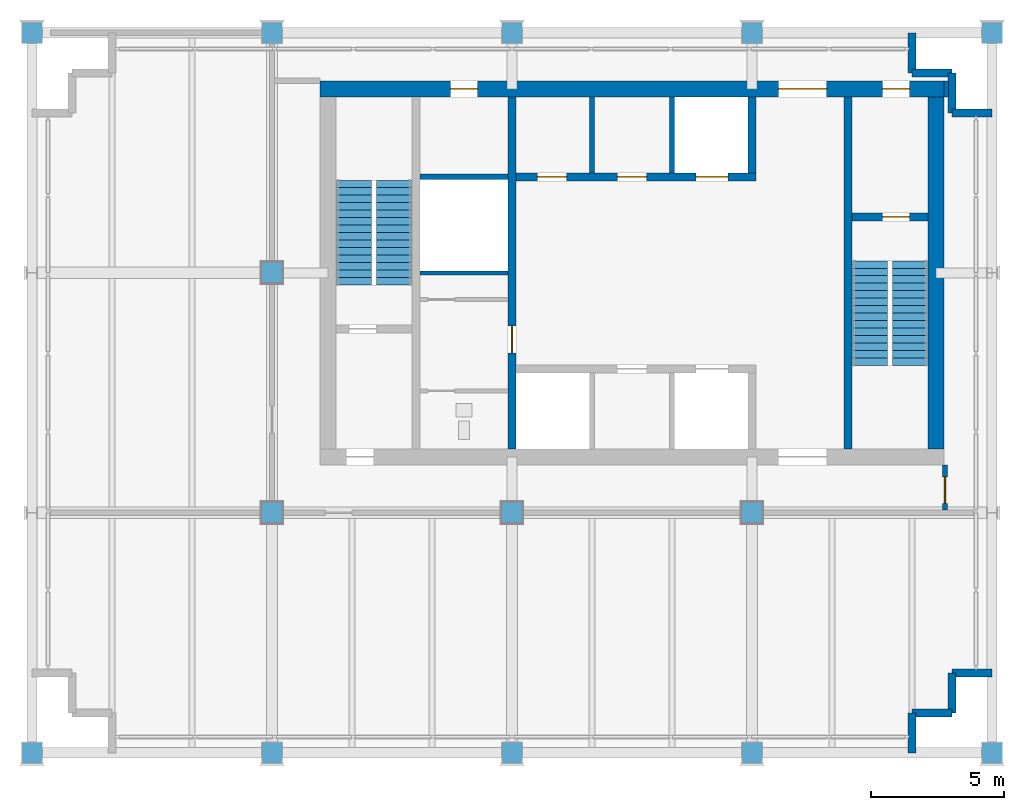
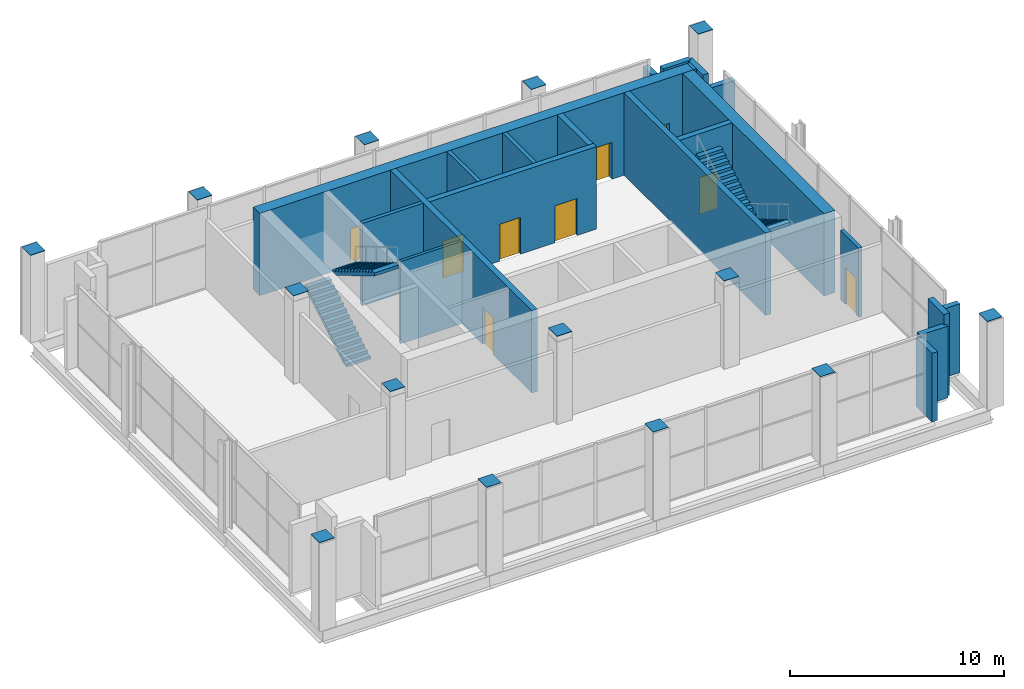
# One storey, part 8 of 10: 21 walls, 14 discrete accessories, 9 doors, 4 stair flights, 9 openings, 2 elements without a shape of their own.
"""IFC4 building model written with IfcOpenShell, lengths in metres."""

from ifc_helpers import new_model, si_unit, direction, frame, frame_2d, origin, origin_2d, place, context, subcontext, project, spatial, polyline, rectangle, outline, extrude, material, layer, layer_set, type_object, element, fill, aggregate, save


model = new_model("IFC4")

# Units and contexts
model_context = context("Model", 3, precision=1e-05, world=origin(), true_north=direction((0.0, 1.0)))
body_context = subcontext(model_context, "Body", "Model", "MODEL_VIEW")
ifc_project = project(units=[si_unit("LENGTHUNIT", "METRE"), si_unit("AREAUNIT", "SQUARE_METRE"), si_unit("VOLUMEUNIT", "CUBIC_METRE"), si_unit("PLANEANGLEUNIT", "RADIAN"), si_unit("MASSUNIT", "GRAM", prefix="KILO")], contexts=[model_context])

# Site, building, storey
site_placement = place(None, origin())
site = spatial("IfcSite", under=ifc_project, at=site_placement, CompositionType="ELEMENT")
building_placement = place(site_placement, origin())
building = spatial("IfcBuilding", under=site, at=building_placement, Name="Loomwork Tower", CompositionType="ELEMENT")
storey_placement = place(building_placement, frame((0.0, 0.0, 274.800048828125)))
storey = spatial("IfcBuildingStorey", under=building, at=storey_placement, Name="L75", CompositionType="ELEMENT", Elevation=274.800048828125)

# Wall, opening, door
ifc_material_1 = material(Name="Concrete 14000 psi (97 MPa)", Category="concrete")
ifc_layer_1 = layer(ifc_material_1, 0.300048828125)
ifc_layer_set_1 = layer_set([ifc_layer_1], Name="Core shear wall 300")
wall_type_1 = type_object("IfcWallType", Name="Core shear wall 300", PredefinedType="SHEAR", material=ifc_layer_set_1)
wall_1_placement = place(storey_placement, frame((18.0, 11.39990234375, 0.0), z_axis=(0.0, 0.0, 1.0), x_axis=(0.0, 1.0, 0.0)))
wall_1 = element("IfcWall", 1, at=wall_1_placement, inside=storey, type_object=wall_type_1, Name="Lobby west wall L75", PredefinedType="SHEAR", context=body_context, shape_type="SweptSolid", body=[
    extrude(rectangle(XDim=13.2001953125, YDim=0.300048828125, at=frame_2d((6.60009765625, 0.0))), origin(), (0.0, 0.0, 1.0), 4.699951171875),
])
opening_1_placement = place(wall_1_placement, frame((3.60009765625, 0.0, 0.0)))
opening_1 = element("IfcOpeningElement", 2, at=opening_1_placement, cuts=wall_1, Name="Opening D5", PredefinedType="OPENING", context=body_context, shape_type="SweptSolid", body=[
    extrude(rectangle(XDim=1.0, YDim=2.10009765625, at=frame_2d((0.5, 1.050048828125))), frame((0.0, 0.159912109375, 0.0), z_axis=(0.0, -1.0, 0.0), x_axis=(1.0, 0.0, 0.0)), (0.0, 0.0, 1.0), 0.320068359375),
])
ifc_material_2 = material(Name="Hollow metal door and frame")
door_type_1 = type_object("IfcDoorType", Name="Service door 1000", OperationType="SINGLE_SWING_LEFT", PredefinedType="DOOR", material=ifc_material_2)
door_1_placement = place(opening_1_placement, origin())
door_1 = element("IfcDoor", 3, at=door_1_placement, inside=storey, type_object=door_type_1, Name="Back-of-house door south", OperationType="SINGLE_SWING_LEFT", OverallHeight=2.10009765625, OverallWidth=1.0, PredefinedType="DOOR", context=body_context, shape_type="SweptSolid", body=[
    extrude(rectangle(XDim=1.0, YDim=2.10009765625, at=frame_2d((0.5, 1.050048828125))), frame((0.0, 0.02490234375, 0.0), z_axis=(0.0, -1.0, 0.0), x_axis=(1.0, 0.0, 0.0)), (0.0, 0.0, 1.0), 0.050048828125),
])
fill(opening_1, door_1)

# Wall, openings, doors
wall_2_placement = place(storey_placement, frame((18.14990234375, 21.60009765625, 0.0), z_axis=(0.0, 0.0, 1.0), x_axis=(1.0, 0.0, 0.0)))
wall_2 = element("IfcWall", 4, at=wall_2_placement, inside=storey, type_object=wall_type_1, Name="Lift front wall north L75", PredefinedType="SHEAR", context=body_context, shape_type="SweptSolid", body=[
    extrude(rectangle(XDim=9.0, YDim=0.300048828125, at=frame_2d((4.5, 0.0))), origin(), (0.0, 0.0, 1.0), 4.699951171875),
])
opening_2_placement = place(wall_2_placement, frame((6.75, 0.0, 0.0)))
opening_2 = element("IfcOpeningElement", 5, at=opening_2_placement, cuts=wall_2, Name="Opening LD2", PredefinedType="OPENING", context=body_context, shape_type="SweptSolid", body=[
    extrude(rectangle(XDim=1.199951171875, YDim=2.10009765625, at=frame_2d((0.60009765625, 1.050048828125))), frame((0.0, 0.159912109375, 0.0), z_axis=(0.0, -1.0, 0.0), x_axis=(1.0, 0.0, 0.0)), (0.0, 0.0, 1.0), 0.320068359375),
])
opening_3_placement = place(wall_2_placement, frame((0.800048828125, 0.0, 0.0)))
opening_3 = element("IfcOpeningElement", 6, at=opening_3_placement, cuts=wall_2, Name="Opening D17", PredefinedType="OPENING", context=body_context, shape_type="SweptSolid", body=[
    extrude(rectangle(XDim=1.10009765625, YDim=2.10009765625, at=frame_2d((0.550048828125, 1.050048828125))), frame((0.0, 0.159912109375, 0.0), z_axis=(0.0, -1.0, 0.0), x_axis=(1.0, 0.0, 0.0)), (0.0, 0.0, 1.0), 0.320068359375),
])
opening_4_placement = place(wall_2_placement, frame((3.800048828125, 0.0, 0.0)))
opening_4 = element("IfcOpeningElement", 7, at=opening_4_placement, cuts=wall_2, Name="Opening D17", PredefinedType="OPENING", context=body_context, shape_type="SweptSolid", body=[
    extrude(rectangle(XDim=1.10009765625, YDim=2.10009765625, at=frame_2d((0.550048828125, 1.050048828125))), frame((0.0, 0.159912109375, 0.0), z_axis=(0.0, -1.0, 0.0), x_axis=(1.0, 0.0, 0.0)), (0.0, 0.0, 1.0), 0.320068359375),
])
ifc_material_3 = material(Name="Hollow metal door and frame")
door_type_2 = type_object("IfcDoorType", Name="Lift landing door 1200", OperationType="SLIDING_TO_LEFT", PredefinedType="DOOR", material=ifc_material_3)
door_2_placement = place(opening_2_placement, origin())
door_2 = element("IfcDoor", 8, at=door_2_placement, inside=storey, type_object=door_type_2, Name="Lift landing door LF2", OperationType="SLIDING_TO_LEFT", OverallHeight=2.10009765625, OverallWidth=1.199951171875, PredefinedType="DOOR", context=body_context, shape_type="SweptSolid", body=[
    extrude(rectangle(XDim=1.199951171875, YDim=2.10009765625, at=frame_2d((0.60009765625, 1.050048828125))), frame((0.0, 0.02490234375, 0.0), z_axis=(0.0, -1.0, 0.0), x_axis=(1.0, 0.0, 0.0)), (0.0, 0.0, 1.0), 0.050048828125),
])
fill(opening_2, door_2)
ifc_material_4 = material(Name="Hollow metal door and frame")
door_type_3 = type_object("IfcDoorType", Name="Service room door 1100", OperationType="SINGLE_SWING_LEFT", PredefinedType="DOOR", material=ifc_material_4)
door_3_placement = place(opening_3_placement, origin())
door_3 = element("IfcDoor", 9, at=door_3_placement, inside=storey, type_object=door_type_3, Name="Linen and housekeeping store door L75", OperationType="SINGLE_SWING_LEFT", OverallHeight=2.10009765625, OverallWidth=1.10009765625, PredefinedType="DOOR", context=body_context, shape_type="SweptSolid", body=[
    extrude(rectangle(XDim=1.10009765625, YDim=2.10009765625, at=frame_2d((0.550048828125, 1.050048828125))), frame((0.0, 0.02490234375, 0.0), z_axis=(0.0, -1.0, 0.0), x_axis=(1.0, 0.0, 0.0)), (0.0, 0.0, 1.0), 0.050048828125),
])
fill(opening_3, door_3)
door_4_placement = place(opening_4_placement, origin())
door_4 = element("IfcDoor", 10, at=door_4_placement, inside=storey, type_object=door_type_3, Name="IT and communications room door L75", OperationType="SINGLE_SWING_LEFT", OverallHeight=2.10009765625, OverallWidth=1.10009765625, PredefinedType="DOOR", context=body_context, shape_type="SweptSolid", body=[
    extrude(rectangle(XDim=1.10009765625, YDim=2.10009765625, at=frame_2d((0.550048828125, 1.050048828125))), frame((0.0, 0.02490234375, 0.0), z_axis=(0.0, -1.0, 0.0), x_axis=(1.0, 0.0, 0.0)), (0.0, 0.0, 1.0), 0.050048828125),
])
fill(opening_4, door_4)

# Walls
wall_3_placement = place(storey_placement, frame((27.0, 21.75, 0.0), z_axis=(0.0, 0.0, 1.0), x_axis=(0.0, 1.0, 0.0)))
element("IfcWall", 11, at=wall_3_placement, inside=storey, type_object=wall_type_1, Name="Lift shaft end wall north L75", PredefinedType="SHEAR", context=body_context, shape_type="SweptSolid", body=[
    extrude(rectangle(XDim=2.85009765625, YDim=0.300048828125, at=frame_2d((1.425048828125, 0.0))), origin(), (0.0, 0.0, 1.0), 4.699951171875),
])
wall_4_placement = place(storey_placement, frame((30.60009765625, 11.39990234375, 0.0), z_axis=(0.0, 0.0, 1.0), x_axis=(0.0, 1.0, 0.0)))
element("IfcWall", 12, at=wall_4_placement, inside=storey, type_object=wall_type_1, Name="Stair B west wall L75", PredefinedType="SHEAR", context=body_context, shape_type="SweptSolid", body=[
    extrude(rectangle(XDim=13.2001953125, YDim=0.300048828125, at=frame_2d((6.60009765625, 0.0))), origin(), (0.0, 0.0, 1.0), 4.699951171875),
])

# Wall, opening, door
wall_5_placement = place(storey_placement, frame((30.75, 20.10009765625, 0.0), z_axis=(0.0, 0.0, 1.0), x_axis=(1.0, 0.0, 0.0)))
wall_5 = element("IfcWall", 13, at=wall_5_placement, inside=storey, type_object=wall_type_1, Name="Stair B north wall L75", PredefinedType="SHEAR", context=body_context, shape_type="SweptSolid", body=[
    extrude(rectangle(XDim=2.85009765625, YDim=0.300048828125, at=frame_2d((1.425048828125, 0.0))), origin(), (0.0, 0.0, 1.0), 4.699951171875),
])
opening_5_placement = place(wall_5_placement, frame((1.14990234375, 0.0, 0.0)))
opening_5 = element("IfcOpeningElement", 14, at=opening_5_placement, cuts=wall_5, Name="Opening D4", PredefinedType="OPENING", context=body_context, shape_type="SweptSolid", body=[
    extrude(rectangle(XDim=1.0, YDim=2.10009765625, at=frame_2d((0.5, 1.050048828125))), frame((0.0, 0.159912109375, 0.0), z_axis=(0.0, -1.0, 0.0), x_axis=(1.0, 0.0, 0.0)), (0.0, 0.0, 1.0), 0.320068359375),
])
ifc_material_5 = material(Name="Hollow metal door and frame")
door_type_4 = type_object("IfcDoorType", Name="Stair door 1000", OperationType="SINGLE_SWING_RIGHT", PredefinedType="DOOR", material=ifc_material_5)
door_5_placement = place(opening_5_placement, frame((1.0, 0.0, 0.0), z_axis=(0.0, 0.0, 1.0), x_axis=(-1.0, 0.0, 0.0)))
door_5 = element("IfcDoor", 15, at=door_5_placement, inside=storey, type_object=door_type_4, Name="Stair B door", OperationType="SINGLE_SWING_LEFT", OverallHeight=2.10009765625, OverallWidth=1.0, PredefinedType="DOOR", context=body_context, shape_type="SweptSolid", body=[
    extrude(rectangle(XDim=1.0, YDim=2.10009765625, at=frame_2d((0.5, 1.050048828125))), frame((0.0, 0.02490234375, 0.0), z_axis=(0.0, -1.0, 0.0), x_axis=(1.0, 0.0, 0.0)), (0.0, 0.0, 1.0), 0.050048828125),
])
fill(opening_5, door_5)

# Wall, openings, doors
ifc_material_6 = material(Name="Concrete 14000 psi (97 MPa)", Category="concrete")
ifc_layer_2 = layer(ifc_material_6, 0.60009765625)
ifc_layer_set_2 = layer_set([ifc_layer_2], Name="Core shear wall 600")
wall_type_2 = type_object("IfcWallType", Name="Core shear wall 600", PredefinedType="SHEAR", material=ifc_layer_set_2)
wall_6_placement = place(storey_placement, frame((10.800048828125, 24.89990234375, 0.0), z_axis=(0.0, 0.0, 1.0), x_axis=(1.0, 0.0, 0.0)))
wall_6 = element("IfcWall", 16, at=wall_6_placement, inside=storey, type_object=wall_type_2, Name="Core wall north L75", PredefinedType="SHEAR", context=body_context, shape_type="SweptSolid", body=[
    extrude(rectangle(XDim=23.39990234375, YDim=0.60009765625, at=frame_2d((11.699951171875, 0.0))), origin(), (0.0, 0.0, 1.0), 4.699951171875),
])
opening_6_placement = place(wall_6_placement, frame((17.199951171875, 0.0, 0.0)))
opening_6 = element("IfcOpeningElement", 17, at=opening_6_placement, cuts=wall_6, Name="Opening D6", PredefinedType="OPENING", context=body_context, shape_type="SweptSolid", body=[
    extrude(rectangle(XDim=1.800048828125, YDim=2.10009765625, at=frame_2d((0.89990234375, 1.050048828125))), frame((0.0, 0.31005859375, 0.0), z_axis=(0.0, -1.0, 0.0), x_axis=(1.0, 0.0, 0.0)), (0.0, 0.0, 1.0), 0.6201171875),
])
opening_7_placement = place(wall_6_placement, frame((21.10009765625, 0.0, 0.0)))
opening_7 = element("IfcOpeningElement", 18, at=opening_7_placement, cuts=wall_6, Name="Opening D4", PredefinedType="OPENING", context=body_context, shape_type="SweptSolid", body=[
    extrude(rectangle(XDim=1.0, YDim=2.10009765625, at=frame_2d((0.5, 1.050048828125))), frame((0.0, 0.31005859375, 0.0), z_axis=(0.0, -1.0, 0.0), x_axis=(1.0, 0.0, 0.0)), (0.0, 0.0, 1.0), 0.6201171875),
])
opening_8_placement = place(wall_6_placement, frame((4.89990234375, 0.0, 0.0)))
opening_8 = element("IfcOpeningElement", 19, at=opening_8_placement, cuts=wall_6, Name="Opening D5", PredefinedType="OPENING", context=body_context, shape_type="SweptSolid", body=[
    extrude(rectangle(XDim=1.0, YDim=2.10009765625, at=frame_2d((0.5, 1.050048828125))), frame((0.0, 0.31005859375, 0.0), z_axis=(0.0, -1.0, 0.0), x_axis=(1.0, 0.0, 0.0)), (0.0, 0.0, 1.0), 0.6201171875),
])
ifc_material_7 = material(Name="Hollow metal door and frame")
door_type_5 = type_object("IfcDoorType", Name="Lobby passage double door 1800", OperationType="DOUBLE_DOOR_SINGLE_SWING", PredefinedType="DOOR", material=ifc_material_7)
door_6_placement = place(opening_6_placement, origin())
door_6 = element("IfcDoor", 20, at=door_6_placement, inside=storey, type_object=door_type_5, Name="Lobby passage door north", OperationType="DOUBLE_DOOR_SINGLE_SWING", OverallHeight=2.10009765625, OverallWidth=1.800048828125, PredefinedType="DOOR", context=body_context, shape_type="SweptSolid", body=[
    extrude(rectangle(XDim=1.800048828125, YDim=2.10009765625, at=frame_2d((0.89990234375, 1.050048828125))), frame((0.0, 0.02490234375, 0.0), z_axis=(0.0, -1.0, 0.0), x_axis=(1.0, 0.0, 0.0)), (0.0, 0.0, 1.0), 0.050048828125),
])
fill(opening_6, door_6)
door_7_placement = place(opening_8_placement, frame((1.0, 0.0, 0.0), z_axis=(0.0, 0.0, 1.0), x_axis=(-1.0, 0.0, 0.0)))
door_7 = element("IfcDoor", 21, at=door_7_placement, inside=storey, type_object=door_type_1, Name="Back-of-house door north", OperationType="SINGLE_SWING_LEFT", OverallHeight=2.10009765625, OverallWidth=1.0, PredefinedType="DOOR", context=body_context, shape_type="SweptSolid", body=[
    extrude(rectangle(XDim=1.0, YDim=2.10009765625, at=frame_2d((0.5, 1.050048828125))), frame((0.0, 0.02490234375, 0.0), z_axis=(0.0, -1.0, 0.0), x_axis=(1.0, 0.0, 0.0)), (0.0, 0.0, 1.0), 0.050048828125),
])
fill(opening_8, door_7)
door_8_placement = place(opening_7_placement, origin())
door_8 = element("IfcDoor", 22, at=door_8_placement, inside=storey, type_object=door_type_4, Name="Stair B vestibule door", OperationType="SINGLE_SWING_RIGHT", OverallHeight=2.10009765625, OverallWidth=1.0, PredefinedType="DOOR", context=body_context, shape_type="SweptSolid", body=[
    extrude(rectangle(XDim=1.0, YDim=2.10009765625, at=frame_2d((0.5, 1.050048828125))), frame((0.0, 0.02490234375, 0.0), z_axis=(0.0, -1.0, 0.0), x_axis=(1.0, 0.0, 0.0)), (0.0, 0.0, 1.0), 0.050048828125),
])
fill(opening_7, door_8)

# Wall
wall_7_placement = place(storey_placement, frame((33.89990234375, 11.39990234375, 0.0), z_axis=(0.0, 0.0, 1.0), x_axis=(0.0, 1.0, 0.0)))
element("IfcWall", 23, at=wall_7_placement, inside=storey, type_object=wall_type_2, Name="Core wall east L75", PredefinedType="SHEAR", context=body_context, shape_type="SweptSolid", body=[
    extrude(rectangle(XDim=13.2001953125, YDim=0.60009765625, at=frame_2d((6.60009765625, 0.0))), origin(), (0.0, 0.0, 1.0), 4.699951171875),
])

# Wall, opening, door
ifc_material_8 = material(Name="Gypsum board on steel studs, one-hour", Category="steel")
ifc_layer_3 = layer(ifc_material_8, 0.199951171875)
ifc_layer_set_3 = layer_set([ifc_layer_3], Name="Corridor wall 200")
wall_type_3 = type_object("IfcWallType", Name="Corridor wall 200", PredefinedType="PARTITIONING", material=ifc_layer_set_3)
wall_8_placement = place(storey_placement, frame((34.239990234375, 9.10009765625, 0.0), z_axis=(0.0, 0.0, 1.0), x_axis=(0.0, 1.0, 0.0)))
wall_8 = element("IfcWall", 24, at=wall_8_placement, inside=storey, type_object=wall_type_3, Name="Plant corridor end wall S 1", PredefinedType="PARTITIONING", context=body_context, shape_type="SweptSolid", body=[
    extrude(rectangle(XDim=1.699951171875, YDim=0.199951171875, at=frame_2d((0.85009765625, 0.0))), origin(), (0.0, 0.0, 1.0), 3.93798828125),
])
opening_9_placement = place(wall_8_placement, frame((0.25, 0.0, 0.0)))
opening_9 = element("IfcOpeningElement", 25, at=opening_9_placement, cuts=wall_8, Name="Opening D18", PredefinedType="OPENING", context=body_context, shape_type="SweptSolid", body=[
    extrude(rectangle(XDim=1.0, YDim=2.10009765625, at=frame_2d((0.5, 1.050048828125))), frame((0.0, 0.10986328125, 0.0), z_axis=(0.0, -1.0, 0.0), x_axis=(1.0, 0.0, 0.0)), (0.0, 0.0, 1.0), 0.219970703125),
])
ifc_material_9 = material(Name="Hollow metal door and frame")
door_type_6 = type_object("IfcDoorType", Name="Ninety-minute service door 1000", OperationType="SINGLE_SWING_LEFT", PredefinedType="DOOR", material=ifc_material_9)
door_9_placement = place(opening_9_placement, frame((1.0, 0.0, 0.0), z_axis=(0.0, 0.0, 1.0), x_axis=(-1.0, 0.0, 0.0)))
door_9 = element("IfcDoor", 26, at=door_9_placement, inside=storey, type_object=door_type_6, Name="Booster pump plant room door", OperationType="SINGLE_SWING_RIGHT", OverallHeight=2.10009765625, OverallWidth=1.0, PredefinedType="DOOR", context=body_context, shape_type="SweptSolid", body=[
    extrude(rectangle(XDim=1.0, YDim=2.10009765625, at=frame_2d((0.5, 1.050048828125))), frame((0.0, 0.02490234375, 0.0), z_axis=(0.0, -1.0, 0.0), x_axis=(1.0, 0.0, 0.0)), (0.0, 0.0, 1.0), 0.050048828125),
])
fill(opening_9, door_9)

# Walls
ifc_material_10 = material(Name="Concrete 14000 psi (97 MPa)", Category="concrete")
ifc_layer_4 = layer(ifc_material_10, 0.199951171875)
ifc_layer_set_4 = layer_set([ifc_layer_4], Name="Lift shaft wall 200")
wall_type_4 = type_object("IfcWallType", Name="Lift shaft wall 200", PredefinedType="SHEAR", material=ifc_layer_set_4)
for number, where, z_axis, x_axis, name in (
    (27, (21.0, 21.75, 0.0), (0.0, 0.0, 1.0), (0.0, 1.0, 0.0), "Lift shaft separation wall north 1 L75"),
    (28, (24.0, 21.75, 0.0), (0.0, 0.0, 1.0), (0.0, 1.0, 0.0), "Lift shaft separation wall north 2 L75"),
):
    element("IfcWall", number, at=place(storey_placement, frame(where, z_axis=z_axis, x_axis=x_axis)), inside=storey, type_object=wall_type_4, Name=name, PredefinedType="SHEAR", context=body_context, shape_type="SweptSolid", body=[
        extrude(rectangle(XDim=2.85009765625, YDim=0.199951171875, at=frame_2d((1.425048828125, 0.0))), origin(), (0.0, 0.0, 1.0), 4.699951171875),
    ])
wall_9_placement = place(storey_placement, frame((14.550048828125, 21.60009765625, 0.0), z_axis=(0.0, 0.0, 1.0), x_axis=(1.0, 0.0, 0.0)))
element("IfcWall", 29, at=wall_9_placement, inside=storey, type_object=wall_type_4, Name="Lift shaft wall west north L75", PredefinedType="SHEAR", context=body_context, shape_type="SweptSolid", body=[
    extrude(rectangle(XDim=3.300048828125, YDim=0.199951171875, at=frame_2d((1.64990234375, 0.0))), origin(), (0.0, 0.0, 1.0), 4.699951171875),
])
ifc_material_11 = material(Name="Limestone on concrete masonry", Category="masonry")
ifc_layer_5 = layer(ifc_material_11, 0.300048828125)
ifc_layer_set_5 = layer_set([ifc_layer_5], Name="Limestone corner wall 300")
wall_type_5 = type_object("IfcWallType", Name="Limestone corner wall 300", PredefinedType="SOLIDWALL", material=ifc_layer_set_5)
wall_10_placement = place(storey_placement, frame((33.0, 0.0, 0.0), z_axis=(0.0, 0.0, 1.0), x_axis=(0.0, 1.0, 0.0)))
element("IfcWall", 30, at=wall_10_placement, inside=storey, type_object=wall_type_5, Name="Stone corner wall SE 1", PredefinedType="SOLIDWALL", context=body_context, shape_type="SweptSolid", body=[
    extrude(rectangle(XDim=1.5, YDim=0.300048828125, at=frame_2d((0.75, 0.0))), origin(), (0.0, 0.0, 1.0), 3.919921875),
])
wall_11_placement = place(storey_placement, frame((33.0, 1.5, 0.0), z_axis=(0.0, 0.0, 1.0), x_axis=(1.0, 0.0, 0.0)))
element("IfcWall", 31, at=wall_11_placement, inside=storey, type_object=wall_type_5, Name="Stone corner wall SE 2", PredefinedType="SOLIDWALL", context=body_context, shape_type="SweptSolid", body=[
    extrude(rectangle(XDim=1.5, YDim=0.300048828125, at=frame_2d((0.75, 0.0))), origin(), (0.0, 0.0, 1.0), 4.092041015625),
])
wall_12_placement = place(storey_placement, frame((34.5, 1.5, 0.0), z_axis=(0.0, 0.0, 1.0), x_axis=(0.0, 1.0, 0.0)))
element("IfcWall", 32, at=wall_12_placement, inside=storey, type_object=wall_type_5, Name="Stone corner wall SE 3", PredefinedType="SOLIDWALL", context=body_context, shape_type="SweptSolid", body=[
    extrude(rectangle(XDim=1.5, YDim=0.300048828125, at=frame_2d((0.75, 0.0))), origin(), (0.0, 0.0, 1.0), 4.699951171875),
])
for number, where, z_axis, x_axis, name in (
    (33, (34.5, 3.0, 0.0), (0.0, 0.0, 1.0), (1.0, 0.0, 0.0), "Stone corner wall SE 4"),
    (34, (36.0, 24.0, 0.0), (0.0, 0.0, 1.0), (-1.0, 0.0, 0.0), "Stone corner wall NE 1"),
):
    element("IfcWall", number, at=place(storey_placement, frame(where, z_axis=z_axis, x_axis=x_axis)), inside=storey, type_object=wall_type_5, Name=name, PredefinedType="SOLIDWALL", context=body_context, shape_type="SweptSolid", body=[
        extrude(rectangle(XDim=1.5, YDim=0.300048828125, at=frame_2d((0.75, 0.0))), origin(), (0.0, 0.0, 1.0), 3.919921875),
    ])
for number, where, z_axis, x_axis, name in (
    (35, (34.5, 24.0, 0.0), (0.0, 0.0, 1.0), (0.0, 1.0, 0.0), "Stone corner wall NE 2"),
    (36, (34.5, 25.5, 0.0), (0.0, 0.0, 1.0), (-1.0, 0.0, 0.0), "Stone corner wall NE 3"),
):
    element("IfcWall", number, at=place(storey_placement, frame(where, z_axis=z_axis, x_axis=x_axis)), inside=storey, type_object=wall_type_5, Name=name, PredefinedType="SOLIDWALL", context=body_context, shape_type="SweptSolid", body=[
        extrude(rectangle(XDim=1.5, YDim=0.300048828125, at=frame_2d((0.75, 0.0))), origin(), (0.0, 0.0, 1.0), 4.699951171875),
    ])
wall_13_placement = place(storey_placement, frame((33.0, 25.5, 0.0), z_axis=(0.0, 0.0, 1.0), x_axis=(0.0, 1.0, 0.0)))
element("IfcWall", 37, at=wall_13_placement, inside=storey, type_object=wall_type_5, Name="Stone corner wall NE 4", PredefinedType="SOLIDWALL", context=body_context, shape_type="SweptSolid", body=[
    extrude(rectangle(XDim=1.5, YDim=0.300048828125, at=frame_2d((0.75, 0.0))), origin(), (0.0, 0.0, 1.0), 3.919921875),
])
ifc_material_12 = material(Name="Gypsum board on steel studs", Category="steel")
ifc_layer_6 = layer(ifc_material_12, 0.14990234375)
ifc_layer_set_6 = layer_set([ifc_layer_6], Name="Partition 150 two-hour")
wall_type_6 = type_object("IfcWallType", Name="Partition 150 two-hour", PredefinedType="PARTITIONING", material=ifc_layer_set_6)
wall_14_placement = place(storey_placement, frame((14.550048828125, 18.0, 0.0), z_axis=(0.0, 0.0, 1.0), x_axis=(1.0, 0.0, 0.0)))
element("IfcWall", 38, at=wall_14_placement, inside=storey, type_object=wall_type_6, Name="Back-of-house dividing wall L75", PredefinedType="PARTITIONING", context=body_context, shape_type="SweptSolid", body=[
    extrude(rectangle(XDim=3.300048828125, YDim=0.14990234375, at=frame_2d((1.64990234375, 0.0))), origin(), (0.0, 0.0, 1.0), 4.699951171875),
])
ifc_material_13 = material(Name="Gypsum board on steel studs, one-hour", Category="steel")
ifc_layer_7 = layer(ifc_material_13, 0.14990234375)
ifc_layer_set_7 = layer_set([ifc_layer_7], Name="Service partition 150")
wall_type_7 = type_object("IfcWallType", Name="Service partition 150", PredefinedType="PARTITIONING", material=ifc_layer_set_7)
wall_15_placement = place(storey_placement, frame((34.199951171875, 24.89990234375, 0.0), z_axis=(0.0, 0.0, 1.0), x_axis=(1.0, 0.0, 0.0)))
element("IfcWall", 39, at=wall_15_placement, inside=storey, type_object=wall_type_7, Name="Core wall infill L75", PredefinedType="PARTITIONING", context=body_context, shape_type="SweptSolid", body=[
    extrude(rectangle(XDim=0.16015625, YDim=0.60009765625, at=frame_2d((0.080078125, 0.0))), origin(), (0.0, 0.0, 1.0), 4.699951171875),
])

# Stair, stair flights
ifc_material_14 = material(Name="Concrete 5000 psi (34 MPa) precast stair", Category="concrete")
stair_type_1 = type_object("IfcStairType", Name="Stair ST-A 30 risers 2850 wide", PredefinedType="HALF_TURN_STAIR", material=ifc_material_14)
stair_1_placement = place(storey_placement, origin())
stair_1 = element("IfcStair", 40, at=stair_1_placement, inside=storey, type_object=stair_type_1, Name="Stair A L75", PredefinedType="HALF_TURN_STAIR")
ifc_material_15 = material(Name="Concrete 5000 psi (34 MPa) precast stair", Category="concrete")
stair_flight_type_1 = type_object("IfcStairFlightType", Name="Stair flight ST-A 15 risers 1300 wide", PredefinedType="STRAIGHT", material=ifc_material_15)
stair_flight_1_placement = place(storey_placement, frame((12.074951171875, 17.550048828125, 0.0), z_axis=(0.0, 0.0, 1.0), x_axis=(0.0, 1.0, 0.0)))
stair_flight_1 = element("IfcStairFlight", 41, at=stair_flight_1_placement, type_object=stair_flight_type_1, Name="ST-A flight 1", NumberOfRisers=15, NumberOfTreads=14, PredefinedType="STRAIGHT", RiserHeight=0.166666667, TreadLength=0.28, context=body_context, shape_type="SweptSolid", body=[
    extrude(outline(polyline([(0.0, 0.0), (0.0, 0.166748046875), (0.280029296875, 0.166748046875), (0.280029296875, 0.333251953125), (0.56005859375, 0.333251953125), (0.56005859375, 0.5), (0.840087890625, 0.5), (0.840087890625, 0.666748046875), (1.1201171875, 0.666748046875), (1.1201171875, 0.833251953125), (1.39990234375, 0.833251953125), (1.39990234375, 1.0), (1.679931640625, 1.0), (1.679931640625, 1.166748046875), (1.9599609375, 1.166748046875), (1.9599609375, 1.333251953125), (2.239990234375, 1.333251953125), (2.239990234375, 1.5), (2.52001953125, 1.5), (2.52001953125, 1.666748046875), (2.800048828125, 1.666748046875), (2.800048828125, 1.833251953125), (3.080078125, 1.833251953125), (3.080078125, 2.0), (3.360107421875, 2.0), (3.360107421875, 2.166748046875), (3.639892578125, 2.166748046875), (3.639892578125, 2.333251953125), (3.919921875, 2.333251953125), (3.919921875, 2.5), (3.919921875, 2.158935546875), (0.29296875, 0.0), (0.0, 0.0)])), frame((0.0, 0.64990234375, 0.0), z_axis=(0.0, -1.0, 0.0), x_axis=(1.0, 0.0, 0.0)), (0.0, 0.0, 1.0), 1.300048828125),
])
stair_flight_2_placement = place(storey_placement, frame((13.574951171875, 21.469970703125, 2.5), z_axis=(0.0, 0.0, 1.0), x_axis=(0.0, -1.0, 0.0)))
stair_flight_2 = element("IfcStairFlight", 42, at=stair_flight_2_placement, type_object=stair_flight_type_1, Name="ST-A flight 2", NumberOfRisers=15, NumberOfTreads=14, PredefinedType="STRAIGHT", RiserHeight=0.166666667, TreadLength=0.28, context=body_context, shape_type="SweptSolid", body=[
    extrude(outline(polyline([(0.0, 0.0), (0.0, 0.166748046875), (0.280029296875, 0.166748046875), (0.280029296875, 0.333251953125), (0.56005859375, 0.333251953125), (0.56005859375, 0.5), (0.840087890625, 0.5), (0.840087890625, 0.666748046875), (1.1201171875, 0.666748046875), (1.1201171875, 0.833251953125), (1.39990234375, 0.833251953125), (1.39990234375, 1.0), (1.679931640625, 1.0), (1.679931640625, 1.166748046875), (1.9599609375, 1.166748046875), (1.9599609375, 1.333251953125), (2.239990234375, 1.333251953125), (2.239990234375, 1.5), (2.52001953125, 1.5), (2.52001953125, 1.666748046875), (2.800048828125, 1.666748046875), (2.800048828125, 1.833251953125), (3.080078125, 1.833251953125), (3.080078125, 2.0), (3.360107421875, 2.0), (3.360107421875, 2.166748046875), (3.639892578125, 2.166748046875), (3.639892578125, 2.333251953125), (3.919921875, 2.333251953125), (3.919921875, 2.5), (3.919921875, 2.158935546875), (0.29296875, 0.0), (0.0, 0.0)])), frame((0.0, 0.64990234375, 0.0), z_axis=(0.0, -1.0, 0.0), x_axis=(1.0, 0.0, 0.0)), (0.0, 0.0, 1.0), 1.300048828125),
])
aggregate(stair_1, [stair_flight_1, stair_flight_2])

ifc_material_16 = material(Name="Concrete 5000 psi (34 MPa) precast stair", Category="concrete")
stair_type_2 = type_object("IfcStairType", Name="Stair ST-B 30 risers 2850 wide", PredefinedType="HALF_TURN_STAIR", material=ifc_material_16)
stair_2_placement = place(storey_placement, origin())
stair_2 = element("IfcStair", 43, at=stair_2_placement, inside=storey, type_object=stair_type_2, Name="Stair B L75", PredefinedType="HALF_TURN_STAIR")
ifc_material_17 = material(Name="Concrete 5000 psi (34 MPa) precast stair", Category="concrete")
stair_flight_type_2 = type_object("IfcStairFlightType", Name="Stair flight ST-B 15 risers 1300 wide", PredefinedType="STRAIGHT", material=ifc_material_17)
stair_flight_3_placement = place(storey_placement, frame((32.925048828125, 18.449951171875, 0.0), z_axis=(0.0, 0.0, 1.0), x_axis=(0.0, -1.0, 0.0)))
stair_flight_3 = element("IfcStairFlight", 44, at=stair_flight_3_placement, type_object=stair_flight_type_2, Name="ST-B flight 1", NumberOfRisers=15, NumberOfTreads=14, PredefinedType="STRAIGHT", RiserHeight=0.166666667, TreadLength=0.28, context=body_context, shape_type="SweptSolid", body=[
    extrude(outline(polyline([(0.0, 0.0), (0.0, 0.166748046875), (0.280029296875, 0.166748046875), (0.280029296875, 0.333251953125), (0.56005859375, 0.333251953125), (0.56005859375, 0.5), (0.840087890625, 0.5), (0.840087890625, 0.666748046875), (1.1201171875, 0.666748046875), (1.1201171875, 0.833251953125), (1.39990234375, 0.833251953125), (1.39990234375, 1.0), (1.679931640625, 1.0), (1.679931640625, 1.166748046875), (1.9599609375, 1.166748046875), (1.9599609375, 1.333251953125), (2.239990234375, 1.333251953125), (2.239990234375, 1.5), (2.52001953125, 1.5), (2.52001953125, 1.666748046875), (2.800048828125, 1.666748046875), (2.800048828125, 1.833251953125), (3.080078125, 1.833251953125), (3.080078125, 2.0), (3.360107421875, 2.0), (3.360107421875, 2.166748046875), (3.639892578125, 2.166748046875), (3.639892578125, 2.333251953125), (3.919921875, 2.333251953125), (3.919921875, 2.5), (3.919921875, 2.158935546875), (0.29296875, 0.0), (0.0, 0.0)])), frame((0.0, 0.64990234375, 0.0), z_axis=(0.0, -1.0, 0.0), x_axis=(1.0, 0.0, 0.0)), (0.0, 0.0, 1.0), 1.300048828125),
])
stair_flight_4_placement = place(storey_placement, frame((31.425048828125, 14.530029296875, 2.5), z_axis=(0.0, 0.0, 1.0), x_axis=(0.0, 1.0, 0.0)))
stair_flight_4 = element("IfcStairFlight", 45, at=stair_flight_4_placement, type_object=stair_flight_type_2, Name="ST-B flight 2", NumberOfRisers=15, NumberOfTreads=14, PredefinedType="STRAIGHT", RiserHeight=0.166666667, TreadLength=0.28, context=body_context, shape_type="SweptSolid", body=[
    extrude(outline(polyline([(0.0, 0.0), (0.0, 0.166748046875), (0.280029296875, 0.166748046875), (0.280029296875, 0.333251953125), (0.56005859375, 0.333251953125), (0.56005859375, 0.5), (0.840087890625, 0.5), (0.840087890625, 0.666748046875), (1.1201171875, 0.666748046875), (1.1201171875, 0.833251953125), (1.39990234375, 0.833251953125), (1.39990234375, 1.0), (1.679931640625, 1.0), (1.679931640625, 1.166748046875), (1.9599609375, 1.166748046875), (1.9599609375, 1.333251953125), (2.239990234375, 1.333251953125), (2.239990234375, 1.5), (2.52001953125, 1.5), (2.52001953125, 1.666748046875), (2.800048828125, 1.666748046875), (2.800048828125, 1.833251953125), (3.080078125, 1.833251953125), (3.080078125, 2.0), (3.360107421875, 2.0), (3.360107421875, 2.166748046875), (3.639892578125, 2.166748046875), (3.639892578125, 2.333251953125), (3.919921875, 2.333251953125), (3.919921875, 2.5), (3.919921875, 2.158935546875), (0.29296875, 0.0), (0.0, 0.0)])), frame((0.0, 0.64990234375, 0.0), z_axis=(0.0, -1.0, 0.0), x_axis=(1.0, 0.0, 0.0)), (0.0, 0.0, 1.0), 1.300048828125),
])
aggregate(stair_2, [stair_flight_3, stair_flight_4])

# Discrete accessories
ifc_material_18 = material(Name="Steel ASTM A572 Grade 50", Category="steel")
ifc_layer_8 = layer(ifc_material_18, 0.02490234375)
ifc_layer_set_8 = layer_set([ifc_layer_8], Name="Steel end cap plate 25")
discrete_accessory_type = type_object("IfcDiscreteAccessoryType", Name="Steel end cap plate 25", PredefinedType="USERDEFINED", material=ifc_layer_set_8)
for number, where, z_axis, x_axis, name in (
    (46, (0.0, 0.0, 4.9990234375), (0.0, 0.0, 1.0), (1.0, 0.0, 0.0), "Column end cap plate Exoskeleton Pier D/2 L75"),
    (47, (0.0, 27.0, 4.9990234375), (0.0, 0.0, 1.0), (1.0, 0.0, 0.0), "Column end cap plate Exoskeleton Pier G/2 L75"),
    (48, (9.0, 0.0, 4.9990234375), (0.0, 0.0, 1.0), (1.0, 0.0, 0.0), "Column end cap plate Exoskeleton Pier D/3 L75"),
    (49, (9.0, 9.0, 4.9990234375), (0.0, 0.0, 1.0), (1.0, 0.0, 0.0), "Column end cap plate Tower Column E/3 L75"),
    (50, (9.0, 18.0, 4.9990234375), (0.0, 0.0, 1.0), (1.0, 0.0, 0.0), "Column end cap plate Tower Column F/3 L75"),
    (51, (9.0, 27.0, 4.9990234375), (0.0, 0.0, 1.0), (1.0, 0.0, 0.0), "Column end cap plate Exoskeleton Pier G/3 L75"),
    (52, (18.0, 0.0, 4.9990234375), (0.0, 0.0, 1.0), (1.0, 0.0, 0.0), "Column end cap plate Exoskeleton Pier D/4 L75"),
    (53, (18.0, 9.0, 4.9990234375), (0.0, 0.0, 1.0), (1.0, 0.0, 0.0), "Column end cap plate Tower Column E/4 L75"),
    (54, (18.0, 27.0, 4.9990234375), (0.0, 0.0, 1.0), (1.0, 0.0, 0.0), "Column end cap plate Exoskeleton Pier G/4 L75"),
    (55, (27.0, 0.0, 4.9990234375), (0.0, 0.0, 1.0), (1.0, 0.0, 0.0), "Column end cap plate Exoskeleton Pier D/5 L75"),
    (56, (27.0, 9.0, 4.9990234375), (0.0, 0.0, 1.0), (1.0, 0.0, 0.0), "Column end cap plate Tower Column E/5 L75"),
    (57, (27.0, 27.0, 4.9990234375), (0.0, 0.0, 1.0), (1.0, 0.0, 0.0), "Column end cap plate Exoskeleton Pier G/5 L75"),
    (58, (36.0, 0.0, 4.9990234375), (0.0, 0.0, 1.0), (1.0, 0.0, 0.0), "Column end cap plate Exoskeleton Pier D/6 L75"),
    (59, (36.0, 27.0, 4.9990234375), (0.0, 0.0, 1.0), (1.0, 0.0, 0.0), "Column end cap plate Exoskeleton Pier G/6 L75"),
):
    element("IfcDiscreteAccessory", number, at=place(storey_placement, frame(where, z_axis=z_axis, x_axis=x_axis)), inside=storey, type_object=discrete_accessory_type, Name=name, ObjectType="END PLATE", PredefinedType="USERDEFINED", context=body_context, shape_type="SweptSolid", body=[
        extrude(rectangle(XDim=0.800048828125, YDim=0.800048828125, at=origin_2d()), origin(), (0.0, 0.0, 1.0), 0.02490234375),
    ])

save(model, "model.ifc")
